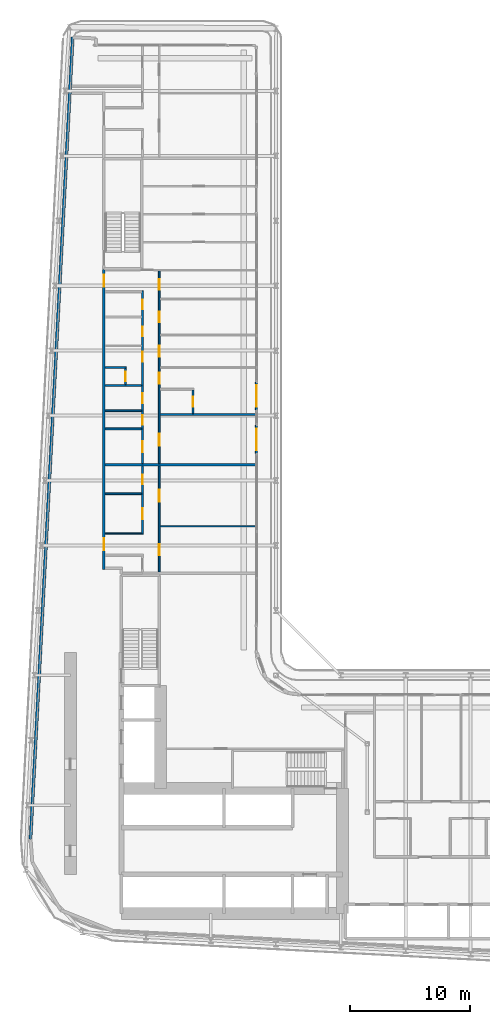
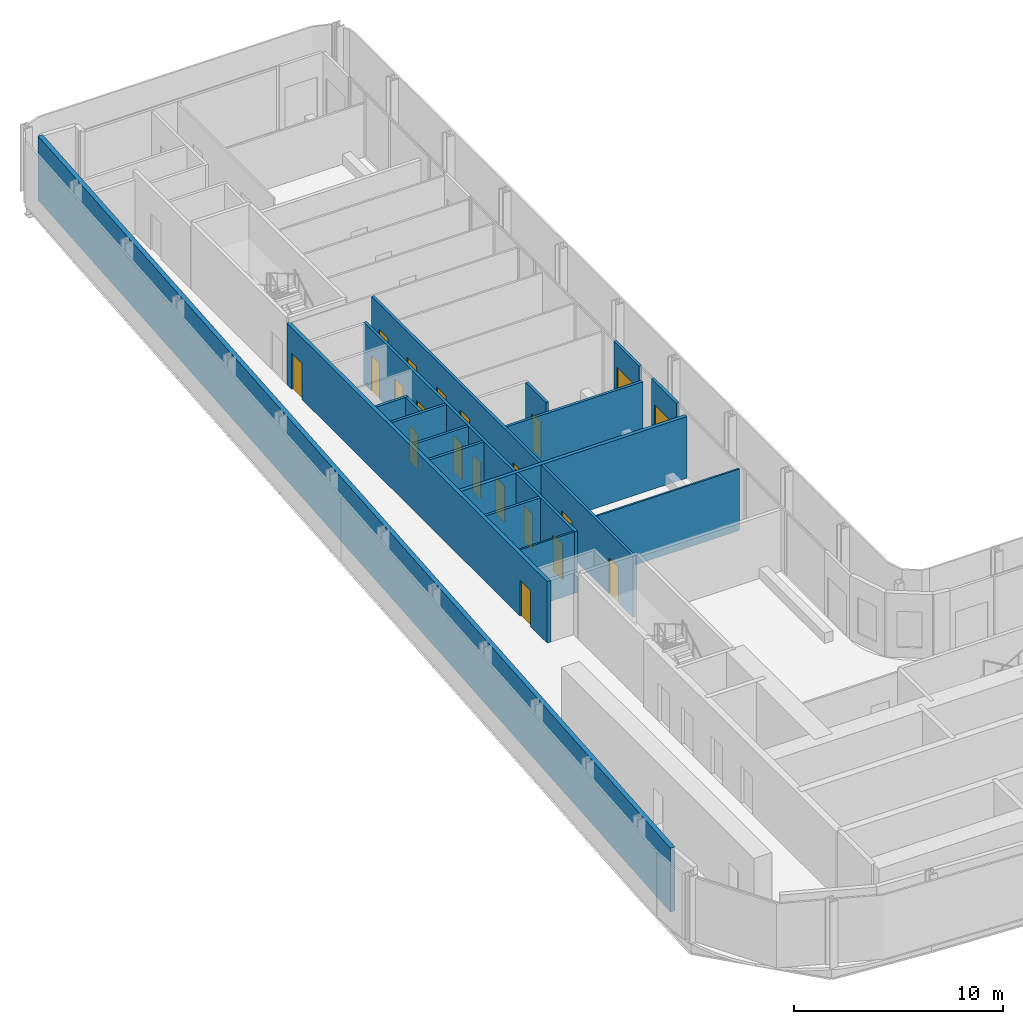
# One storey, part 16 of 27: 21 doors, 19 walls, 21 openings.
"""IFC4 building model written with IfcOpenShell, lengths in metres."""

from ifc_helpers import new_model, si_unit, direction, frame, frame_2d, origin, place, context, subcontext, project, spatial, rectangle, extrude, source, transform, mapped, material, layer, layer_set, type_object, element, fill, save


model = new_model("IFC4")

# Units and contexts
model_context = context("Model", 3, precision=1e-05, world=origin(), true_north=direction((0.0, 1.0)))
body_context = subcontext(model_context, "Body", "Model", "MODEL_VIEW")
ifc_project = project(units=[si_unit("LENGTHUNIT", "METRE"), si_unit("AREAUNIT", "SQUARE_METRE"), si_unit("VOLUMEUNIT", "CUBIC_METRE"), si_unit("PLANEANGLEUNIT", "RADIAN"), si_unit("MASSUNIT", "GRAM", prefix="KILO")], contexts=[model_context])

# Site, building, storey
site_placement = place(None, origin())
site = spatial("IfcSite", under=ifc_project, at=site_placement, CompositionType="ELEMENT")
building_placement = place(site_placement, origin())
building = spatial("IfcBuilding", under=site, at=building_placement, Name="Kheshtan School and Residences Tower", CompositionType="ELEMENT")
storey_placement = place(building_placement, frame((0.0, 0.0, 46.10009765625)))
storey = spatial("IfcBuildingStorey", under=building, at=storey_placement, Name="L10", CompositionType="ELEMENT", Elevation=46.10009765625)

# Wall, openings, doors
ifc_material_1 = material(Name="Gypsum board on steel studs with fire boards", Category="steel")
ifc_layer_1 = layer(ifc_material_1, 0.199951171875)
ifc_layer_set_1 = layer_set([ifc_layer_1], Name="Corridor wall 200")
wall_type_1 = type_object("IfcWallType", Name="Corridor wall 200", PredefinedType="PARTITIONING", material=ifc_layer_set_1)
wall_1_placement = place(storey_placement, frame((33.300048828125, 54.39990234375, 0.0), z_axis=(0.0, 0.0, 1.0), x_axis=(0.0, 1.0, 0.0)))
wall_1 = element("IfcWall", 1, at=wall_1_placement, inside=storey, type_object=wall_type_1, Name="Partition L10-003", PredefinedType="PARTITIONING", context=body_context, shape_type="SweptSolid", body=[
    extrude(rectangle(XDim=24.9501953125, YDim=0.199951171875, at=frame_2d((12.47509765625, 0.0))), origin(), (0.0, 0.0, 1.0), 3.599853515625),
])
opening_1_placement = place(wall_1_placement, frame((1.60009765625, 0.0, 0.0)))
opening_1 = element("IfcOpeningElement", 2, at=opening_1_placement, cuts=wall_1, Name="Opening D10-028", PredefinedType="OPENING", context=body_context, shape_type="SweptSolid", body=[
    extrude(rectangle(XDim=1.0, YDim=2.10009765625, at=frame_2d((0.5, 1.050048828125))), frame((0.0, 0.10986328125, 0.0), z_axis=(0.0, -1.0, 0.0), x_axis=(1.0, 0.0, 0.0)), (0.0, 0.0, 1.0), 0.219970703125),
])
opening_2_placement = place(wall_1_placement, frame((23.5, 0.0, 0.0)))
opening_2 = element("IfcOpeningElement", 3, at=opening_2_placement, cuts=wall_1, Name="Opening D10-038", PredefinedType="OPENING", context=body_context, shape_type="SweptSolid", body=[
    extrude(rectangle(XDim=1.0, YDim=2.10009765625, at=frame_2d((0.5, 1.050048828125))), frame((0.0, 0.10986328125, 0.0), z_axis=(0.0, -1.0, 0.0), x_axis=(1.0, 0.0, 0.0)), (0.0, 0.0, 1.0), 0.219970703125),
])
ifc_material_2 = material(Name="Steel-framed fire-resisting door leaf", Category="steel")
door_type_1 = type_object("IfcDoorType", Name="Fire door FD30S 1000 x 2100", OperationType="SINGLE_SWING_LEFT", PredefinedType="DOOR", material=ifc_material_2)
shared_shape_1 = source(origin(), body_context, "Body", "SweptSolid", [
    extrude(rectangle(XDim=1.0, YDim=2.10009765625, at=frame_2d((0.5, 1.050048828125))), frame((0.0, 0.02490234375, 0.0), z_axis=(0.0, -1.0, 0.0), x_axis=(1.0, 0.0, 0.0)), (0.0, 0.0, 1.0), 0.050048828125),
])
door_1_placement = place(opening_1_placement, origin())
door_1 = element("IfcDoor", 4, at=door_1_placement, inside=storey, type_object=door_type_1, Name="Door D10-028", OperationType="SINGLE_SWING_LEFT", OverallHeight=2.10009765625, OverallWidth=1.0, PredefinedType="DOOR", context=body_context, shape_type="MappedRepresentation", body=[
    mapped(shared_shape_1, transform((0.0, 0.0, 0.0), x_axis=(1.0, 0.0, 0.0), y_axis=(0.0, 1.0, 0.0), z_axis=(0.0, 0.0, 1.0), scale=1.0)),
])
fill(opening_1, door_1)
door_2_placement = place(opening_2_placement, origin())
door_2 = element("IfcDoor", 5, at=door_2_placement, inside=storey, type_object=door_type_1, Name="Door D10-038", OperationType="SINGLE_SWING_RIGHT", OverallHeight=2.10009765625, OverallWidth=1.0, PredefinedType="DOOR", context=body_context, shape_type="MappedRepresentation", body=[
    mapped(shared_shape_1, transform((0.0, 0.0, 0.0), x_axis=(1.0, 0.0, 0.0), y_axis=(0.0, 1.0, 0.0), z_axis=(0.0, 0.0, 1.0), scale=1.0)),
])
fill(opening_2, door_2)

# Wall
ifc_material_3 = material(Name="Concrete C40/50 with ceramic cladding and mineral wool insulation", Category="concrete")
ifc_layer_2 = layer(ifc_material_3, 0.25)
ifc_layer_set_2 = layer_set([ifc_layer_2], Name="External wall 250 ceramic clad")
wall_type_2 = type_object("IfcWallType", Name="External wall 250 ceramic clad", PredefinedType="SOLIDWALL", material=ifc_layer_set_2)
wall_2_placement = place(storey_placement, frame((27.195068359375, 31.968994140625, 0.0), z_axis=(0.0, 0.0, 1.0), x_axis=(0.052554995867, 0.998618031286, 0.0)))
element("IfcWall", 6, at=wall_2_placement, inside=storey, type_object=wall_type_2, Name="External wall L10 4", PredefinedType="SOLIDWALL", context=body_context, shape_type="SweptSolid", body=[
    extrude(rectangle(XDim=66.787353515625, YDim=0.25, at=frame_2d((33.3935546875, 0.0))), origin(), (0.0, 0.0, 1.0), 3.75),
])

# Wall, opening, door
ifc_material_4 = material(Name="Aluminium frame wall with insulated infill", Category="aluminium")
ifc_layer_3 = layer(ifc_material_4, 0.14990234375)
ifc_layer_set_3 = layer_set([ifc_layer_3], Name="Glazing frame wall 150")
wall_type_3 = type_object("IfcWallType", Name="Glazing frame wall 150", PredefinedType="SOLIDWALL", material=ifc_layer_set_3)
wall_3_placement = place(storey_placement, frame((45.97509765625, 70.01806640625, 0.0), z_axis=(0.0, 0.0, 1.0), x_axis=(0.0, -1.0, 0.0)))
wall_3 = element("IfcWall", 7, at=wall_3_placement, inside=storey, type_object=wall_type_3, Name="Balcony door wall L10 8.3", PredefinedType="SOLIDWALL", context=body_context, shape_type="SweptSolid", body=[
    extrude(rectangle(XDim=2.400146484375, YDim=0.14990234375, at=frame_2d((1.2001953125, 0.0))), origin(), (0.0, 0.0, 1.0), 3.75),
])
opening_3_placement = place(wall_3_placement, frame((0.300048828125, 0.0, 0.0)))
opening_3 = element("IfcOpeningElement", 8, at=opening_3_placement, cuts=wall_3, Name="Opening BD", PredefinedType="OPENING", context=body_context, shape_type="SweptSolid", body=[
    extrude(rectangle(XDim=1.800048828125, YDim=2.39990234375, at=frame_2d((0.89990234375, 1.199951171875))), frame((0.0, 0.0849609375, 0.0), z_axis=(0.0, -1.0, 0.0), x_axis=(1.0, 0.0, 0.0)), (0.0, 0.0, 1.0), 0.169921875),
])
ifc_material_5 = material(Name="Clear low-e glass in thermally broken aluminium frame", Category="aluminium")
door_type_2 = type_object("IfcDoorType", Name="Balcony sliding door", OperationType="SLIDING_TO_LEFT", PredefinedType="DOOR", material=ifc_material_5)
shared_shape_2 = source(origin(), body_context, "Body", "SweptSolid", [
    extrude(rectangle(XDim=1.800048828125, YDim=2.39990234375, at=frame_2d((0.89990234375, 1.199951171875))), frame((0.0, 0.02490234375, 0.0), z_axis=(0.0, -1.0, 0.0), x_axis=(1.0, 0.0, 0.0)), (0.0, 0.0, 1.0), 0.050048828125),
])
door_3_placement = place(opening_3_placement, origin())
door_3 = element("IfcDoor", 9, at=door_3_placement, inside=storey, type_object=door_type_2, Name="Balcony door L10 8.3", OperationType="SLIDING_TO_LEFT", OverallHeight=2.39990234375, OverallWidth=1.800048828125, PredefinedType="DOOR", context=body_context, shape_type="MappedRepresentation", body=[
    mapped(shared_shape_2, transform((0.0, 0.0, 0.0), x_axis=(1.0, 0.0, 0.0), y_axis=(0.0, 1.0, 0.0), z_axis=(0.0, 0.0, 1.0), scale=1.0)),
])
fill(opening_3, door_3)

wall_4_placement = place(storey_placement, frame((45.97509765625, 66.41796875, 0.0), z_axis=(0.0, 0.0, 1.0), x_axis=(0.0, -1.0, 0.0)))
wall_4 = element("IfcWall", 10, at=wall_4_placement, inside=storey, type_object=wall_type_3, Name="Balcony door wall L10 8.4", PredefinedType="SOLIDWALL", context=body_context, shape_type="SweptSolid", body=[
    extrude(rectangle(XDim=2.39990234375, YDim=0.14990234375, at=frame_2d((1.199951171875, 0.0))), origin(), (0.0, 0.0, 1.0), 3.75),
])
opening_4_placement = place(wall_4_placement, frame((0.300048828125, 0.0, 0.0)))
opening_4 = element("IfcOpeningElement", 11, at=opening_4_placement, cuts=wall_4, Name="Opening BD", PredefinedType="OPENING", context=body_context, shape_type="SweptSolid", body=[
    extrude(rectangle(XDim=1.800048828125, YDim=2.39990234375, at=frame_2d((0.89990234375, 1.199951171875))), frame((0.0, 0.0849609375, 0.0), z_axis=(0.0, -1.0, 0.0), x_axis=(1.0, 0.0, 0.0)), (0.0, 0.0, 1.0), 0.169921875),
])
door_4_placement = place(opening_4_placement, origin())
door_4 = element("IfcDoor", 12, at=door_4_placement, inside=storey, type_object=door_type_2, Name="Balcony door L10 8.4", OperationType="SLIDING_TO_LEFT", OverallHeight=2.39990234375, OverallWidth=1.800048828125, PredefinedType="DOOR", context=body_context, shape_type="MappedRepresentation", body=[
    mapped(shared_shape_2, transform((0.0, 0.0, 0.0), x_axis=(1.0, 0.0, 0.0), y_axis=(0.0, 1.0, 0.0), z_axis=(0.0, 0.0, 1.0), scale=1.0)),
])
fill(opening_4, door_4)

# Walls
ifc_material_6 = material(Name="Gypsum board on steel studs", Category="steel")
ifc_layer_4 = layer(ifc_material_6, 0.10009765625)
ifc_layer_set_4 = layer_set([ifc_layer_4], Name="Gypsum partition 100")
wall_type_4 = type_object("IfcWallType", Name="Gypsum partition 100", PredefinedType="PARTITIONING", material=ifc_layer_set_4)
wall_5_placement = place(storey_placement, frame((33.39990234375, 57.39990234375, 0.0), z_axis=(0.0, 0.0, 1.0), x_axis=(1.0, 0.0, 0.0)))
element("IfcWall", 13, at=wall_5_placement, inside=storey, type_object=wall_type_4, Name="Partition L10-007", PredefinedType="PARTITIONING", context=body_context, shape_type="SweptSolid", body=[
    extrude(rectangle(XDim=3.025146484375, YDim=0.10009765625, at=frame_2d((1.5126953125, 0.0))), origin(), (0.0, 0.0, 1.0), 3.599853515625),
])
wall_6_placement = place(storey_placement, frame((37.97509765625, 58.0, 0.0), z_axis=(0.0, 0.0, 1.0), x_axis=(1.0, 0.0, 0.0)))
element("IfcWall", 14, at=wall_6_placement, inside=storey, type_object=wall_type_4, Name="Partition L10-037", PredefinedType="PARTITIONING", context=body_context, shape_type="SweptSolid", body=[
    extrude(rectangle(XDim=7.9248046875, YDim=0.10009765625, at=frame_2d((3.96240234375, 0.0))), origin(), (0.0, 0.0, 1.0), 3.599853515625),
])
ifc_material_7 = material(Name="Twin gypsum board on steel studs with mineral wool", Category="steel")
ifc_layer_5 = layer(ifc_material_7, 0.199951171875)
ifc_layer_set_5 = layer_set([ifc_layer_5], Name="Unit demising wall 200")
wall_type_5 = type_object("IfcWallType", Name="Unit demising wall 200", PredefinedType="PARTITIONING", material=ifc_layer_set_5)
wall_7_placement = place(storey_placement, frame((33.39990234375, 63.10009765625, 0.0), z_axis=(0.0, 0.0, 1.0), x_axis=(1.0, 0.0, 0.0)))
element("IfcWall", 15, at=wall_7_placement, inside=storey, type_object=wall_type_5, Name="Partition L10-009", PredefinedType="PARTITIONING", context=body_context, shape_type="SweptSolid", body=[
    extrude(rectangle(XDim=12.5, YDim=0.199951171875, at=frame_2d((6.25, 0.0))), origin(), (0.0, 0.0, 1.0), 3.599853515625),
])
ifc_material_8 = material(Name="Moisture-resistant gypsum board on steel studs", Category="steel")
ifc_layer_6 = layer(ifc_material_8, 0.14990234375)
ifc_layer_set_6 = layer_set([ifc_layer_6], Name="Wet-room partition 150")
wall_type_6 = type_object("IfcWallType", Name="Wet-room partition 150", PredefinedType="PARTITIONING", material=ifc_layer_set_6)
for number, where, z_axis, x_axis, name in (
    (16, (33.39990234375, 60.699951171875, 0.0), (0.0, 0.0, 1.0), (1.0, 0.0, 0.0), "Partition L10-008"),
    (17, (33.39990234375, 66.10009765625, 0.0), (0.0, 0.0, 1.0), (1.0, 0.0, 0.0), "Partition L10-010"),
    (18, (33.39990234375, 67.60009765625, 0.0), (0.0, 0.0, 1.0), (1.0, 0.0, 0.0), "Partition L10-011"),
    (19, (33.39990234375, 69.699951171875, 0.0), (0.0, 0.0, 1.0), (1.0, 0.0, 0.0), "Partition L10-012"),
):
    element("IfcWall", number, at=place(storey_placement, frame(where, z_axis=z_axis, x_axis=x_axis)), inside=storey, type_object=wall_type_6, Name=name, PredefinedType="PARTITIONING", context=body_context, shape_type="SweptSolid", body=[
        extrude(rectangle(XDim=3.025146484375, YDim=0.14990234375, at=frame_2d((1.5126953125, 0.0))), origin(), (0.0, 0.0, 1.0), 3.599853515625),
    ])
wall_8_placement = place(storey_placement, frame((33.39990234375, 71.199951171875, 0.0), z_axis=(0.0, 0.0, 1.0), x_axis=(1.0, 0.0, 0.0)))
element("IfcWall", 20, at=wall_8_placement, inside=storey, type_object=wall_type_6, Name="Partition L10-013", PredefinedType="PARTITIONING", context=body_context, shape_type="SweptSolid", body=[
    extrude(rectangle(XDim=1.775146484375, YDim=0.14990234375, at=frame_2d((0.8876953125, 0.0))), origin(), (0.0, 0.0, 1.0), 3.599853515625),
])

# Wall, opening, door
wall_9_placement = place(storey_placement, frame((35.10009765625, 69.77490234375, 0.0), z_axis=(0.0, 0.0, 1.0), x_axis=(0.0, 1.0, 0.0)))
wall_9 = element("IfcWall", 21, at=wall_9_placement, inside=storey, type_object=wall_type_6, Name="Partition L10-022", PredefinedType="PARTITIONING", context=body_context, shape_type="SweptSolid", body=[
    extrude(rectangle(XDim=1.35009765625, YDim=0.14990234375, at=frame_2d((0.675048828125, 0.0))), origin(), (0.0, 0.0, 1.0), 3.599853515625),
])
opening_5_placement = place(wall_9_placement, frame((0.27490234375, 0.0, 0.0)))
opening_5 = element("IfcOpeningElement", 22, at=opening_5_placement, cuts=wall_9, Name="Opening D10-042", PredefinedType="OPENING", context=body_context, shape_type="SweptSolid", body=[
    extrude(rectangle(XDim=0.800048828125, YDim=2.10009765625, at=frame_2d((0.39990234375, 1.050048828125))), frame((0.0, 0.0849609375, 0.0), z_axis=(0.0, -1.0, 0.0), x_axis=(1.0, 0.0, 0.0)), (0.0, 0.0, 1.0), 0.169921875),
])
ifc_material_9 = material(Name="Veneered timber door leaf", Category="wood")
door_type_3 = type_object("IfcDoorType", Name="Door 800 x 2100", OperationType="SINGLE_SWING_LEFT", PredefinedType="DOOR", material=ifc_material_9)
shared_shape_3 = source(origin(), body_context, "Body", "SweptSolid", [
    extrude(rectangle(XDim=0.800048828125, YDim=2.10009765625, at=frame_2d((0.39990234375, 1.050048828125))), frame((0.0, 0.02490234375, 0.0), z_axis=(0.0, -1.0, 0.0), x_axis=(1.0, 0.0, 0.0)), (0.0, 0.0, 1.0), 0.050048828125),
])
door_5_placement = place(opening_5_placement, origin())
door_5 = element("IfcDoor", 23, at=door_5_placement, inside=storey, type_object=door_type_3, Name="Door D10-042", OperationType="SINGLE_SWING_LEFT", OverallHeight=2.10009765625, OverallWidth=0.800048828125, PredefinedType="DOOR", context=body_context, shape_type="MappedRepresentation", body=[
    mapped(shared_shape_3, transform((0.0, 0.0, 0.0), x_axis=(1.0, 0.0, 0.0), y_axis=(0.0, 1.0, 0.0), z_axis=(0.0, 0.0, 1.0), scale=1.0)),
])
fill(opening_5, door_5)

# Wall, openings, doors
wall_10_placement = place(storey_placement, frame((36.5, 57.35009765625, 0.0), z_axis=(0.0, 0.0, 1.0), x_axis=(0.0, 1.0, 0.0)))
wall_10 = element("IfcWall", 24, at=wall_10_placement, inside=storey, type_object=wall_type_6, Name="Partition L10-026", PredefinedType="PARTITIONING", context=body_context, shape_type="SweptSolid", body=[
    extrude(rectangle(XDim=5.64990234375, YDim=0.14990234375, at=frame_2d((2.824951171875, 0.0))), origin(), (0.0, 0.0, 1.0), 3.599853515625),
])
opening_6_placement = place(wall_10_placement, frame((4.14990234375, 0.0, 0.0)))
opening_6 = element("IfcOpeningElement", 25, at=opening_6_placement, cuts=wall_10, Name="Opening D10-026", PredefinedType="OPENING", context=body_context, shape_type="SweptSolid", body=[
    extrude(rectangle(XDim=0.800048828125, YDim=2.10009765625, at=frame_2d((0.39990234375, 1.050048828125))), frame((0.0, 0.0849609375, 0.0), z_axis=(0.0, -1.0, 0.0), x_axis=(1.0, 0.0, 0.0)), (0.0, 0.0, 1.0), 0.169921875),
])
opening_7_placement = place(wall_10_placement, frame((1.25, 0.0, 0.0)))
opening_7 = element("IfcOpeningElement", 26, at=opening_7_placement, cuts=wall_10, Name="Opening D10-029", PredefinedType="OPENING", context=body_context, shape_type="SweptSolid", body=[
    extrude(rectangle(XDim=0.89990234375, YDim=2.10009765625, at=frame_2d((0.449951171875, 1.050048828125))), frame((0.0, 0.0849609375, 0.0), z_axis=(0.0, -1.0, 0.0), x_axis=(1.0, 0.0, 0.0)), (0.0, 0.0, 1.0), 0.169921875),
])
door_6_placement = place(opening_6_placement, origin())
door_6 = element("IfcDoor", 27, at=door_6_placement, inside=storey, type_object=door_type_3, Name="Door D10-026", OperationType="SINGLE_SWING_RIGHT", OverallHeight=2.10009765625, OverallWidth=0.800048828125, PredefinedType="DOOR", context=body_context, shape_type="MappedRepresentation", body=[
    mapped(shared_shape_3, transform((0.0, 0.0, 0.0), x_axis=(1.0, 0.0, 0.0), y_axis=(0.0, 1.0, 0.0), z_axis=(0.0, 0.0, 1.0), scale=1.0)),
])
fill(opening_6, door_6)
door_type_4 = type_object("IfcDoorType", Name="Door 900 x 2100", OperationType="SINGLE_SWING_LEFT", PredefinedType="DOOR", material=ifc_material_9)
shared_shape_4 = source(origin(), body_context, "Body", "SweptSolid", [
    extrude(rectangle(XDim=0.89990234375, YDim=2.10009765625, at=frame_2d((0.449951171875, 1.050048828125))), frame((0.0, 0.02490234375, 0.0), z_axis=(0.0, -1.0, 0.0), x_axis=(1.0, 0.0, 0.0)), (0.0, 0.0, 1.0), 0.050048828125),
])
door_7_placement = place(opening_7_placement, origin())
door_7 = element("IfcDoor", 28, at=door_7_placement, inside=storey, type_object=door_type_4, Name="Door D10-029", OperationType="SINGLE_SWING_RIGHT", OverallHeight=2.10009765625, OverallWidth=0.89990234375, PredefinedType="DOOR", context=body_context, shape_type="MappedRepresentation", body=[
    mapped(shared_shape_4, transform((0.0, 0.0, 0.0), x_axis=(1.0, 0.0, 0.0), y_axis=(0.0, 1.0, 0.0), z_axis=(0.0, 0.0, 1.0), scale=1.0)),
])
fill(opening_7, door_7)

wall_11_placement = place(storey_placement, frame((36.5, 63.199951171875, 0.0), z_axis=(0.0, 0.0, 1.0), x_axis=(0.0, 1.0, 0.0)))
wall_11 = element("IfcWall", 29, at=wall_11_placement, inside=storey, type_object=wall_type_6, Name="Partition L10-027", PredefinedType="PARTITIONING", context=body_context, shape_type="SweptSolid", body=[
    extrude(rectangle(XDim=14.375, YDim=0.14990234375, at=frame_2d((7.1875, 0.0))), origin(), (0.0, 0.0, 1.0), 3.599853515625),
])
opening_8_placement = place(wall_11_placement, frame((5.050048828125, 0.0, 0.0)))
opening_8 = element("IfcOpeningElement", 30, at=opening_8_placement, cuts=wall_11, Name="Opening D10-032", PredefinedType="OPENING", context=body_context, shape_type="SweptSolid", body=[
    extrude(rectangle(XDim=0.800048828125, YDim=2.10009765625, at=frame_2d((0.39990234375, 1.050048828125))), frame((0.0, 0.0849609375, 0.0), z_axis=(0.0, -1.0, 0.0), x_axis=(1.0, 0.0, 0.0)), (0.0, 0.0, 1.0), 0.169921875),
])
opening_9_placement = place(wall_11_placement, frame((12.85009765625, 0.0, 0.0)))
opening_9 = element("IfcOpeningElement", 31, at=opening_9_placement, cuts=wall_11, Name="Opening D10-033", PredefinedType="OPENING", context=body_context, shape_type="SweptSolid", body=[
    extrude(rectangle(XDim=0.800048828125, YDim=2.10009765625, at=frame_2d((0.39990234375, 1.050048828125))), frame((0.0, 0.0849609375, 0.0), z_axis=(0.0, -1.0, 0.0), x_axis=(1.0, 0.0, 0.0)), (0.0, 0.0, 1.0), 0.169921875),
])
opening_10_placement = place(wall_11_placement, frame((10.60009765625, 0.0, 0.0)))
opening_10 = element("IfcOpeningElement", 32, at=opening_10_placement, cuts=wall_11, Name="Opening D10-036", PredefinedType="OPENING", context=body_context, shape_type="SweptSolid", body=[
    extrude(rectangle(XDim=0.800048828125, YDim=2.10009765625, at=frame_2d((0.39990234375, 1.050048828125))), frame((0.0, 0.0849609375, 0.0), z_axis=(0.0, -1.0, 0.0), x_axis=(1.0, 0.0, 0.0)), (0.0, 0.0, 1.0), 0.169921875),
])
opening_11_placement = place(wall_11_placement, frame((0.949951171875, 0.0, 0.0)))
opening_11 = element("IfcOpeningElement", 33, at=opening_11_placement, cuts=wall_11, Name="Opening D10-039", PredefinedType="OPENING", context=body_context, shape_type="SweptSolid", body=[
    extrude(rectangle(XDim=0.89990234375, YDim=2.10009765625, at=frame_2d((0.449951171875, 1.050048828125))), frame((0.0, 0.0849609375, 0.0), z_axis=(0.0, -1.0, 0.0), x_axis=(1.0, 0.0, 0.0)), (0.0, 0.0, 1.0), 0.169921875),
])
opening_12_placement = place(wall_11_placement, frame((8.5, 0.0, 0.0)))
opening_12 = element("IfcOpeningElement", 34, at=opening_12_placement, cuts=wall_11, Name="Opening D10-041", PredefinedType="OPENING", context=body_context, shape_type="SweptSolid", body=[
    extrude(rectangle(XDim=0.800048828125, YDim=2.10009765625, at=frame_2d((0.39990234375, 1.050048828125))), frame((0.0, 0.0849609375, 0.0), z_axis=(0.0, -1.0, 0.0), x_axis=(1.0, 0.0, 0.0)), (0.0, 0.0, 1.0), 0.169921875),
])
opening_13_placement = place(wall_11_placement, frame((3.25, 0.0, 0.0)))
opening_13 = element("IfcOpeningElement", 35, at=opening_13_placement, cuts=wall_11, Name="Opening D10-045", PredefinedType="OPENING", context=body_context, shape_type="SweptSolid", body=[
    extrude(rectangle(XDim=0.800048828125, YDim=2.10009765625, at=frame_2d((0.39990234375, 1.050048828125))), frame((0.0, 0.0849609375, 0.0), z_axis=(0.0, -1.0, 0.0), x_axis=(1.0, 0.0, 0.0)), (0.0, 0.0, 1.0), 0.169921875),
])
door_8_placement = place(opening_8_placement, origin())
door_8 = element("IfcDoor", 36, at=door_8_placement, inside=storey, type_object=door_type_3, Name="Door D10-032", OperationType="SINGLE_SWING_RIGHT", OverallHeight=2.10009765625, OverallWidth=0.800048828125, PredefinedType="DOOR", context=body_context, shape_type="MappedRepresentation", body=[
    mapped(shared_shape_3, transform((0.0, 0.0, 0.0), x_axis=(1.0, 0.0, 0.0), y_axis=(0.0, 1.0, 0.0), z_axis=(0.0, 0.0, 1.0), scale=1.0)),
])
fill(opening_8, door_8)
door_9_placement = place(opening_9_placement, origin())
door_9 = element("IfcDoor", 37, at=door_9_placement, inside=storey, type_object=door_type_3, Name="Door D10-033", OperationType="SINGLE_SWING_RIGHT", OverallHeight=2.10009765625, OverallWidth=0.800048828125, PredefinedType="DOOR", context=body_context, shape_type="MappedRepresentation", body=[
    mapped(shared_shape_3, transform((0.0, 0.0, 0.0), x_axis=(1.0, 0.0, 0.0), y_axis=(0.0, 1.0, 0.0), z_axis=(0.0, 0.0, 1.0), scale=1.0)),
])
fill(opening_9, door_9)
door_10_placement = place(opening_10_placement, origin())
door_10 = element("IfcDoor", 38, at=door_10_placement, inside=storey, type_object=door_type_3, Name="Door D10-036", OperationType="SINGLE_SWING_RIGHT", OverallHeight=2.10009765625, OverallWidth=0.800048828125, PredefinedType="DOOR", context=body_context, shape_type="MappedRepresentation", body=[
    mapped(shared_shape_3, transform((0.0, 0.0, 0.0), x_axis=(1.0, 0.0, 0.0), y_axis=(0.0, 1.0, 0.0), z_axis=(0.0, 0.0, 1.0), scale=1.0)),
])
fill(opening_10, door_10)
door_11_placement = place(opening_12_placement, origin())
door_11 = element("IfcDoor", 39, at=door_11_placement, inside=storey, type_object=door_type_3, Name="Door D10-041", OperationType="SINGLE_SWING_RIGHT", OverallHeight=2.10009765625, OverallWidth=0.800048828125, PredefinedType="DOOR", context=body_context, shape_type="MappedRepresentation", body=[
    mapped(shared_shape_3, transform((0.0, 0.0, 0.0), x_axis=(1.0, 0.0, 0.0), y_axis=(0.0, 1.0, 0.0), z_axis=(0.0, 0.0, 1.0), scale=1.0)),
])
fill(opening_12, door_11)
door_12_placement = place(opening_13_placement, origin())
door_12 = element("IfcDoor", 40, at=door_12_placement, inside=storey, type_object=door_type_3, Name="Door D10-045", OperationType="SINGLE_SWING_RIGHT", OverallHeight=2.10009765625, OverallWidth=0.800048828125, PredefinedType="DOOR", context=body_context, shape_type="MappedRepresentation", body=[
    mapped(shared_shape_3, transform((0.0, 0.0, 0.0), x_axis=(1.0, 0.0, 0.0), y_axis=(0.0, 1.0, 0.0), z_axis=(0.0, 0.0, 1.0), scale=1.0)),
])
fill(opening_13, door_12)
door_13_placement = place(opening_11_placement, origin())
door_13 = element("IfcDoor", 41, at=door_13_placement, inside=storey, type_object=door_type_4, Name="Door D10-039", OperationType="SINGLE_SWING_RIGHT", OverallHeight=2.10009765625, OverallWidth=0.89990234375, PredefinedType="DOOR", context=body_context, shape_type="MappedRepresentation", body=[
    mapped(shared_shape_4, transform((0.0, 0.0, 0.0), x_axis=(1.0, 0.0, 0.0), y_axis=(0.0, 1.0, 0.0), z_axis=(0.0, 0.0, 1.0), scale=1.0)),
])
fill(opening_11, door_13)

wall_12_placement = place(storey_placement, frame((37.89990234375, 54.199951171875, 0.0), z_axis=(0.0, 0.0, 1.0), x_axis=(0.0, 1.0, 0.0)))
wall_12 = element("IfcWall", 42, at=wall_12_placement, inside=storey, type_object=wall_type_6, Name="Partition L10-033", PredefinedType="PARTITIONING", context=body_context, shape_type="SweptSolid", body=[
    extrude(rectangle(XDim=8.800048828125, YDim=0.14990234375, at=frame_2d((4.39990234375, 0.0))), origin(), (0.0, 0.0, 1.0), 3.599853515625),
])
opening_14_placement = place(wall_12_placement, frame((1.39990234375, 0.0, 0.0)))
opening_14 = element("IfcOpeningElement", 43, at=opening_14_placement, cuts=wall_12, Name="Opening D10-027", PredefinedType="OPENING", context=body_context, shape_type="SweptSolid", body=[
    extrude(rectangle(XDim=0.89990234375, YDim=2.10009765625, at=frame_2d((0.449951171875, 1.050048828125))), frame((0.0, 0.0849609375, 0.0), z_axis=(0.0, -1.0, 0.0), x_axis=(1.0, 0.0, 0.0)), (0.0, 0.0, 1.0), 0.169921875),
])
opening_15_placement = place(wall_12_placement, frame((5.85009765625, 0.0, 0.0)))
opening_15 = element("IfcOpeningElement", 44, at=opening_15_placement, cuts=wall_12, Name="Opening D10-030", PredefinedType="OPENING", context=body_context, shape_type="SweptSolid", body=[
    extrude(rectangle(XDim=1.0, YDim=2.10009765625, at=frame_2d((0.5, 1.050048828125))), frame((0.0, 0.0849609375, 0.0), z_axis=(0.0, -1.0, 0.0), x_axis=(1.0, 0.0, 0.0)), (0.0, 0.0, 1.0), 0.169921875),
])
door_type_5 = type_object("IfcDoorType", Name="Door 1000 x 2100", OperationType="SINGLE_SWING_LEFT", PredefinedType="DOOR", material=ifc_material_9)
shared_shape_5 = source(origin(), body_context, "Body", "SweptSolid", [
    extrude(rectangle(XDim=1.0, YDim=2.10009765625, at=frame_2d((0.5, 1.050048828125))), frame((0.0, 0.02490234375, 0.0), z_axis=(0.0, -1.0, 0.0), x_axis=(1.0, 0.0, 0.0)), (0.0, 0.0, 1.0), 0.050048828125),
])
door_14_placement = place(opening_15_placement, origin())
door_14 = element("IfcDoor", 45, at=door_14_placement, inside=storey, type_object=door_type_5, Name="Door D10-030", OperationType="SINGLE_SWING_RIGHT", OverallHeight=2.10009765625, OverallWidth=1.0, PredefinedType="DOOR", context=body_context, shape_type="MappedRepresentation", body=[
    mapped(shared_shape_5, transform((0.0, 0.0, 0.0), x_axis=(1.0, 0.0, 0.0), y_axis=(0.0, 1.0, 0.0), z_axis=(0.0, 0.0, 1.0), scale=1.0)),
])
fill(opening_15, door_14)
door_15_placement = place(opening_14_placement, origin())
door_15 = element("IfcDoor", 46, at=door_15_placement, inside=storey, type_object=door_type_4, Name="Door D10-027", OperationType="SINGLE_SWING_LEFT", OverallHeight=2.10009765625, OverallWidth=0.89990234375, PredefinedType="DOOR", context=body_context, shape_type="MappedRepresentation", body=[
    mapped(shared_shape_4, transform((0.0, 0.0, 0.0), x_axis=(1.0, 0.0, 0.0), y_axis=(0.0, 1.0, 0.0), z_axis=(0.0, 0.0, 1.0), scale=1.0)),
])
fill(opening_14, door_15)

wall_13_placement = place(storey_placement, frame((37.89990234375, 63.199951171875, 0.0), z_axis=(0.0, 0.0, 1.0), x_axis=(0.0, 1.0, 0.0)))
wall_13 = element("IfcWall", 47, at=wall_13_placement, inside=storey, type_object=wall_type_6, Name="Partition L10-034", PredefinedType="PARTITIONING", context=body_context, shape_type="SweptSolid", body=[
    extrude(rectangle(XDim=16.050048828125, YDim=0.14990234375, at=frame_2d((8.02490234375, 0.0))), origin(), (0.0, 0.0, 1.0), 3.599853515625),
])
opening_16_placement = place(wall_13_placement, frame((8.89990234375, 0.0, 0.0)))
opening_16 = element("IfcOpeningElement", 48, at=opening_16_placement, cuts=wall_13, Name="Opening D10-034", PredefinedType="OPENING", context=body_context, shape_type="SweptSolid", body=[
    extrude(rectangle(XDim=0.89990234375, YDim=2.10009765625, at=frame_2d((0.449951171875, 1.050048828125))), frame((0.0, 0.0849609375, 0.0), z_axis=(0.0, -1.0, 0.0), x_axis=(1.0, 0.0, 0.0)), (0.0, 0.0, 1.0), 0.169921875),
])
opening_17_placement = place(wall_13_placement, frame((11.75, 0.0, 0.0)))
opening_17 = element("IfcOpeningElement", 49, at=opening_17_placement, cuts=wall_13, Name="Opening D10-035", PredefinedType="OPENING", context=body_context, shape_type="SweptSolid", body=[
    extrude(rectangle(XDim=0.89990234375, YDim=2.10009765625, at=frame_2d((0.449951171875, 1.050048828125))), frame((0.0, 0.0849609375, 0.0), z_axis=(0.0, -1.0, 0.0), x_axis=(1.0, 0.0, 0.0)), (0.0, 0.0, 1.0), 0.169921875),
])
opening_18_placement = place(wall_13_placement, frame((1.5, 0.0, 0.0)))
opening_18 = element("IfcOpeningElement", 50, at=opening_18_placement, cuts=wall_13, Name="Opening D10-040", PredefinedType="OPENING", context=body_context, shape_type="SweptSolid", body=[
    extrude(rectangle(XDim=1.0, YDim=2.10009765625, at=frame_2d((0.5, 1.050048828125))), frame((0.0, 0.0849609375, 0.0), z_axis=(0.0, -1.0, 0.0), x_axis=(1.0, 0.0, 0.0)), (0.0, 0.0, 1.0), 0.169921875),
])
opening_19_placement = place(wall_13_placement, frame((14.449951171875, 0.0, 0.0)))
opening_19 = element("IfcOpeningElement", 51, at=opening_19_placement, cuts=wall_13, Name="Opening D10-043", PredefinedType="OPENING", context=body_context, shape_type="SweptSolid", body=[
    extrude(rectangle(XDim=0.89990234375, YDim=2.10009765625, at=frame_2d((0.449951171875, 1.050048828125))), frame((0.0, 0.0849609375, 0.0), z_axis=(0.0, -1.0, 0.0), x_axis=(1.0, 0.0, 0.0)), (0.0, 0.0, 1.0), 0.169921875),
])
opening_20_placement = place(wall_13_placement, frame((6.64990234375, 0.0, 0.0)))
opening_20 = element("IfcOpeningElement", 52, at=opening_20_placement, cuts=wall_13, Name="Opening D10-044", PredefinedType="OPENING", context=body_context, shape_type="SweptSolid", body=[
    extrude(rectangle(XDim=0.89990234375, YDim=2.10009765625, at=frame_2d((0.449951171875, 1.050048828125))), frame((0.0, 0.0849609375, 0.0), z_axis=(0.0, -1.0, 0.0), x_axis=(1.0, 0.0, 0.0)), (0.0, 0.0, 1.0), 0.169921875),
])
door_16_placement = place(opening_18_placement, origin())
door_16 = element("IfcDoor", 53, at=door_16_placement, inside=storey, type_object=door_type_5, Name="Door D10-040", OperationType="SINGLE_SWING_LEFT", OverallHeight=2.10009765625, OverallWidth=1.0, PredefinedType="DOOR", context=body_context, shape_type="MappedRepresentation", body=[
    mapped(shared_shape_5, transform((0.0, 0.0, 0.0), x_axis=(1.0, 0.0, 0.0), y_axis=(0.0, 1.0, 0.0), z_axis=(0.0, 0.0, 1.0), scale=1.0)),
])
fill(opening_18, door_16)
door_17_placement = place(opening_16_placement, origin())
door_17 = element("IfcDoor", 54, at=door_17_placement, inside=storey, type_object=door_type_4, Name="Door D10-034", OperationType="SINGLE_SWING_RIGHT", OverallHeight=2.10009765625, OverallWidth=0.89990234375, PredefinedType="DOOR", context=body_context, shape_type="MappedRepresentation", body=[
    mapped(shared_shape_4, transform((0.0, 0.0, 0.0), x_axis=(1.0, 0.0, 0.0), y_axis=(0.0, 1.0, 0.0), z_axis=(0.0, 0.0, 1.0), scale=1.0)),
])
fill(opening_16, door_17)
door_18_placement = place(opening_17_placement, origin())
door_18 = element("IfcDoor", 55, at=door_18_placement, inside=storey, type_object=door_type_4, Name="Door D10-035", OperationType="SINGLE_SWING_LEFT", OverallHeight=2.10009765625, OverallWidth=0.89990234375, PredefinedType="DOOR", context=body_context, shape_type="MappedRepresentation", body=[
    mapped(shared_shape_4, transform((0.0, 0.0, 0.0), x_axis=(1.0, 0.0, 0.0), y_axis=(0.0, 1.0, 0.0), z_axis=(0.0, 0.0, 1.0), scale=1.0)),
])
fill(opening_17, door_18)
door_19_placement = place(opening_19_placement, origin())
door_19 = element("IfcDoor", 56, at=door_19_placement, inside=storey, type_object=door_type_4, Name="Door D10-043", OperationType="SINGLE_SWING_LEFT", OverallHeight=2.10009765625, OverallWidth=0.89990234375, PredefinedType="DOOR", context=body_context, shape_type="MappedRepresentation", body=[
    mapped(shared_shape_4, transform((0.0, 0.0, 0.0), x_axis=(1.0, 0.0, 0.0), y_axis=(0.0, 1.0, 0.0), z_axis=(0.0, 0.0, 1.0), scale=1.0)),
])
fill(opening_19, door_19)
door_20_placement = place(opening_20_placement, origin())
door_20 = element("IfcDoor", 57, at=door_20_placement, inside=storey, type_object=door_type_4, Name="Door D10-044", OperationType="SINGLE_SWING_LEFT", OverallHeight=2.10009765625, OverallWidth=0.89990234375, PredefinedType="DOOR", context=body_context, shape_type="MappedRepresentation", body=[
    mapped(shared_shape_4, transform((0.0, 0.0, 0.0), x_axis=(1.0, 0.0, 0.0), y_axis=(0.0, 1.0, 0.0), z_axis=(0.0, 0.0, 1.0), scale=1.0)),
])
fill(opening_20, door_20)

# Wall
wall_14_placement = place(storey_placement, frame((37.97509765625, 67.300048828125, 0.0), z_axis=(0.0, 0.0, 1.0), x_axis=(1.0, 0.0, 0.0)))
element("IfcWall", 58, at=wall_14_placement, inside=storey, type_object=wall_type_6, Name="Partition L10-038", PredefinedType="PARTITIONING", context=body_context, shape_type="SweptSolid", body=[
    extrude(rectangle(XDim=7.9248046875, YDim=0.14990234375, at=frame_2d((3.96240234375, 0.0))), origin(), (0.0, 0.0, 1.0), 3.072021484375),
])

# Wall, opening, door
wall_15_placement = place(storey_placement, frame((40.699951171875, 67.375, 0.0), z_axis=(0.0, 0.0, 1.0), x_axis=(0.0, 1.0, 0.0)))
wall_15 = element("IfcWall", 59, at=wall_15_placement, inside=storey, type_object=wall_type_6, Name="Partition L10-044", PredefinedType="PARTITIONING", context=body_context, shape_type="SweptSolid", body=[
    extrude(rectangle(XDim=1.949951171875, YDim=0.14990234375, at=frame_2d((0.97509765625, 0.0))), origin(), (0.0, 0.0, 1.0), 3.599853515625),
])
opening_21_placement = place(wall_15_placement, frame((0.574951171875, 0.0, 0.0)))
opening_21 = element("IfcOpeningElement", 60, at=opening_21_placement, cuts=wall_15, Name="Opening D10-037", PredefinedType="OPENING", context=body_context, shape_type="SweptSolid", body=[
    extrude(rectangle(XDim=0.800048828125, YDim=2.10009765625, at=frame_2d((0.39990234375, 1.050048828125))), frame((0.0, 0.0849609375, 0.0), z_axis=(0.0, -1.0, 0.0), x_axis=(1.0, 0.0, 0.0)), (0.0, 0.0, 1.0), 0.169921875),
])
door_21_placement = place(opening_21_placement, origin())
door_21 = element("IfcDoor", 61, at=door_21_placement, inside=storey, type_object=door_type_3, Name="Door D10-037", OperationType="SINGLE_SWING_RIGHT", OverallHeight=2.10009765625, OverallWidth=0.800048828125, PredefinedType="DOOR", context=body_context, shape_type="MappedRepresentation", body=[
    mapped(shared_shape_3, transform((0.0, 0.0, 0.0), x_axis=(1.0, 0.0, 0.0), y_axis=(0.0, 1.0, 0.0), z_axis=(0.0, 0.0, 1.0), scale=1.0)),
])
fill(opening_21, door_21)

save(model, "model.ifc")
